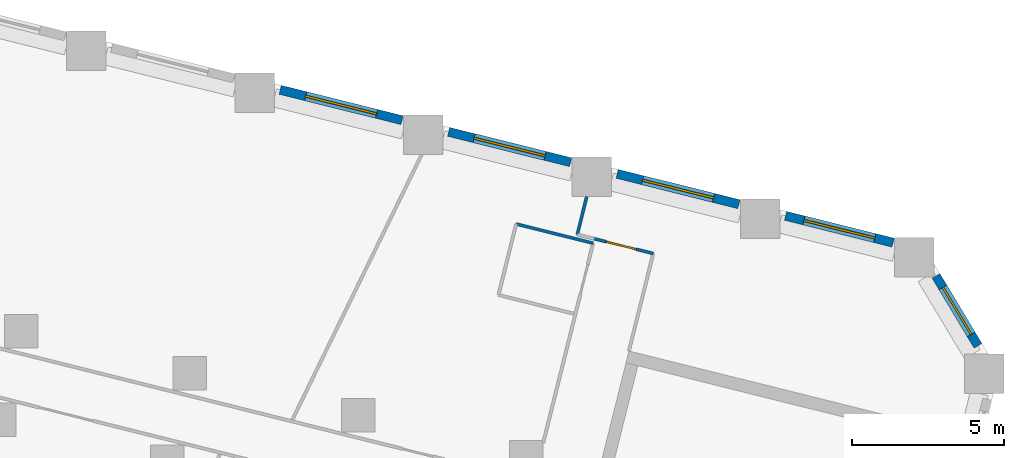
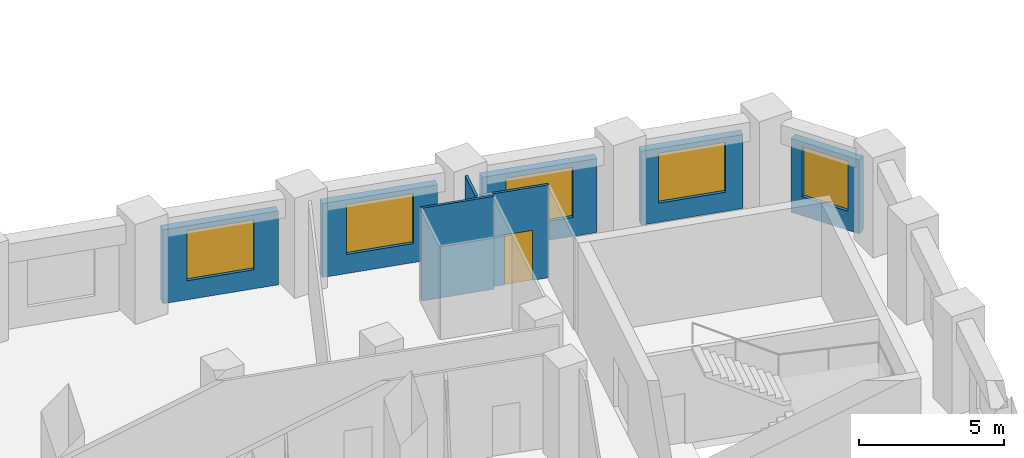
# One storey, part 7 of 11: 8 walls, 5 windows, 1 door, 6 openings.
"""IFC4 building model written with IfcOpenShell, lengths in metres."""

from ifc_helpers import new_model, si_unit, direction, frame, frame_2d, origin, place, context, subcontext, project, spatial, rectangle, extrude, material, layer, layer_set, type_object, element, fill, save


model = new_model("IFC4")

# Units and contexts
model_context = context("Model", 3, precision=1e-05, world=origin(), true_north=direction((0.0, 1.0)))
body_context = subcontext(model_context, "Body", "Model", "MODEL_VIEW")
ifc_project = project(units=[si_unit("LENGTHUNIT", "METRE"), si_unit("AREAUNIT", "SQUARE_METRE"), si_unit("VOLUMEUNIT", "CUBIC_METRE"), si_unit("PLANEANGLEUNIT", "RADIAN"), si_unit("MASSUNIT", "GRAM", prefix="KILO")], contexts=[model_context])

# Site, building, storey
site_placement = place(None, origin())
site = spatial("IfcSite", under=ifc_project, at=site_placement, CompositionType="ELEMENT")
building_placement = place(site_placement, origin())
building = spatial("IfcBuilding", under=site, at=building_placement, Name="Meshkara Civic Tower", CompositionType="ELEMENT")
storey_placement = place(building_placement, frame((0.0, 0.0, 105.60009765625)))
storey = spatial("IfcBuildingStorey", under=building, at=storey_placement, Name="L23", CompositionType="ELEMENT", Elevation=105.60009765625)

# Wall, opening, door
ifc_material_1 = material(Name="Corridor wall 100")
ifc_layer_1 = layer(ifc_material_1, 0.10009765625)
ifc_layer_set_1 = layer_set([ifc_layer_1], Name="Corridor wall 100")
wall_type_1 = type_object("IfcWallType", Name="Corridor wall 100", PredefinedType="PARTITIONING", material=ifc_layer_set_1)
wall_1_placement = place(storey_placement, frame((74.087890625, 2.552001953125, 0.0), z_axis=(0.0, 0.0, 1.0), x_axis=(-0.970271653322, 0.242018426489, 0.0)))
wall_1 = element("IfcWall", 1, at=wall_1_placement, inside=storey, type_object=wall_type_1, Name="L23-W030", PredefinedType="PARTITIONING", context=body_context, shape_type="SweptSolid", body=[
    extrude(rectangle(XDim=1.999267578125, YDim=0.10009765625, at=frame_2d((0.99951171875, 0.0))), origin(), (0.0, 0.0, 1.0), 3.89990234375),
])
opening_1_placement = place(wall_1_placement, frame((0.580078125, 0.0, 0.0)))
opening_1 = element("IfcOpeningElement", 2, at=opening_1_placement, cuts=wall_1, Name="Opening L23-D013", PredefinedType="OPENING", context=body_context, shape_type="SweptSolid", body=[
    extrude(rectangle(XDim=1.0, YDim=2.10009765625, at=frame_2d((0.5, 1.050048828125))), frame((0.0, 0.06005859375, 0.0), z_axis=(0.0, -1.0, 0.0), x_axis=(1.0, 0.0, 0.0)), (0.0, 0.0, 1.0), 0.1201171875),
])
ifc_material_2 = material(Name="Door 1000 x 2100")
door_type = type_object("IfcDoorType", Name="Door 1000 x 2100", OperationType="SINGLE_SWING_LEFT", PredefinedType="DOOR", material=ifc_material_2)
door_placement = place(opening_1_placement, origin())
door = element("IfcDoor", 3, at=door_placement, inside=storey, type_object=door_type, Name="L23-D013", OperationType="SINGLE_SWING_LEFT", OverallHeight=2.10009765625, OverallWidth=1.0, PredefinedType="DOOR", context=body_context, shape_type="SweptSolid", body=[
    extrude(rectangle(XDim=1.0, YDim=2.10009765625, at=frame_2d((0.5, 1.050048828125))), frame((0.0, 0.02490234375, 0.0), z_axis=(0.0, -1.0, 0.0), x_axis=(1.0, 0.0, 0.0)), (0.0, 0.0, 1.0), 0.050048828125),
])
fill(opening_1, door)

# Wall, opening, window
ifc_material_3 = material(Name="Insulated infill panel with bronze anodised aluminium cladding", Category="aluminium")
ifc_layer_2 = layer(ifc_material_3, 0.300048828125)
ifc_layer_set_2 = layer_set([ifc_layer_2], Name="EXTERNAL INFILL WALL 300")
wall_type_2 = type_object("IfcWallType", Name="EXTERNAL INFILL WALL 300", PredefinedType="SOLIDWALL", material=ifc_layer_set_2)
wall_2_placement = place(storey_placement, frame((81.962890625, 2.906982421875, 0.0), z_axis=(0.0, 0.0, 1.0), x_axis=(-0.970248953144, 0.24210941519, 0.0)))
wall_2 = element("IfcWall", 4, at=wall_2_placement, inside=storey, type_object=wall_type_2, Name="External wall", PredefinedType="SOLIDWALL", context=body_context, shape_type="SweptSolid", body=[
    extrude(rectangle(XDim=3.63916015625, YDim=0.300048828125, at=frame_2d((1.819580078125, 0.0))), origin(), (0.0, 0.0, 1.0), 3.099853515625),
])
opening_2_placement = place(wall_2_placement, frame((0.6201171875, 0.0, 0.800048828125)))
opening_2 = element("IfcOpeningElement", 5, at=opening_2_placement, cuts=wall_2, Name="Opening W7", PredefinedType="OPENING", context=body_context, shape_type="SweptSolid", body=[
    extrude(rectangle(XDim=2.39990234375, YDim=2.10009765625, at=frame_2d((1.199951171875, 1.050048828125))), frame((0.0, 0.159912109375, 0.0), z_axis=(0.0, -1.0, 0.0), x_axis=(1.0, 0.0, 0.0)), (0.0, 0.0, 1.0), 0.320068359375),
])
ifc_material_4 = material(Name="Tinted double glazing", Category="glass")
window_type_1 = type_object("IfcWindowType", Name="WINDOW 2400x2100", PartitioningType="DOUBLE_PANEL_VERTICAL", PredefinedType="WINDOW", material=ifc_material_4)
window_1_placement = place(opening_2_placement, origin())
window_1 = element("IfcWindow", 6, at=window_1_placement, inside=storey, type_object=window_type_1, Name="Window", OverallHeight=2.10009765625, OverallWidth=2.39990234375, PartitioningType="DOUBLE_PANEL_VERTICAL", PredefinedType="WINDOW", context=body_context, shape_type="SweptSolid", body=[
    extrude(rectangle(XDim=2.39990234375, YDim=2.10009765625, at=frame_2d((1.199951171875, 1.050048828125))), frame((0.0, 0.030029296875, 0.0), z_axis=(0.0, -1.0, 0.0), x_axis=(1.0, 0.0, 0.0)), (0.0, 0.0, 1.0), 0.06005859375),
])
fill(opening_2, window_1)

wall_3_placement = place(storey_placement, frame((76.903076171875, 4.1689453125, 0.0), z_axis=(0.0, 0.0, 1.0), x_axis=(-0.970267747908, 0.242034083076, 0.0)))
wall_3 = element("IfcWall", 7, at=wall_3_placement, inside=storey, type_object=wall_type_2, Name="External wall", PredefinedType="SOLIDWALL", context=body_context, shape_type="SweptSolid", body=[
    extrude(rectangle(XDim=4.12353515625, YDim=0.300048828125, at=frame_2d((2.061767578125, 0.0))), origin(), (0.0, 0.0, 1.0), 3.099853515625),
])
opening_3_placement = place(wall_3_placement, frame((0.862060546875, 0.0, 0.800048828125)))
opening_3 = element("IfcOpeningElement", 8, at=opening_3_placement, cuts=wall_3, Name="Opening W7", PredefinedType="OPENING", context=body_context, shape_type="SweptSolid", body=[
    extrude(rectangle(XDim=2.39990234375, YDim=2.10009765625, at=frame_2d((1.199951171875, 1.050048828125))), frame((0.0, 0.159912109375, 0.0), z_axis=(0.0, -1.0, 0.0), x_axis=(1.0, 0.0, 0.0)), (0.0, 0.0, 1.0), 0.320068359375),
])
window_2_placement = place(opening_3_placement, origin())
window_2 = element("IfcWindow", 9, at=window_2_placement, inside=storey, type_object=window_type_1, Name="Window", OverallHeight=2.10009765625, OverallWidth=2.39990234375, PartitioningType="DOUBLE_PANEL_VERTICAL", PredefinedType="WINDOW", context=body_context, shape_type="SweptSolid", body=[
    extrude(rectangle(XDim=2.39990234375, YDim=2.10009765625, at=frame_2d((1.199951171875, 1.050048828125))), frame((0.0, 0.030029296875, 0.0), z_axis=(0.0, -1.0, 0.0), x_axis=(1.0, 0.0, 0.0)), (0.0, 0.0, 1.0), 0.06005859375),
])
fill(opening_3, window_2)

wall_4_placement = place(storey_placement, frame((71.373046875, 5.548095703125, 0.0), z_axis=(0.0, 0.0, 1.0), x_axis=(-0.97029551261, 0.241922752565, 0.0)))
wall_4 = element("IfcWall", 10, at=wall_4_placement, inside=storey, type_object=wall_type_2, Name="External wall", PredefinedType="SOLIDWALL", context=body_context, shape_type="SweptSolid", body=[
    extrude(rectangle(XDim=4.12451171875, YDim=0.300048828125, at=frame_2d((2.062255859375, 0.0))), origin(), (0.0, 0.0, 1.0), 3.099853515625),
])
opening_4_placement = place(wall_4_placement, frame((0.862060546875, 0.0, 0.800048828125)))
opening_4 = element("IfcOpeningElement", 11, at=opening_4_placement, cuts=wall_4, Name="Opening W7", PredefinedType="OPENING", context=body_context, shape_type="SweptSolid", body=[
    extrude(rectangle(XDim=2.39990234375, YDim=2.10009765625, at=frame_2d((1.199951171875, 1.050048828125))), frame((0.0, 0.159912109375, 0.0), z_axis=(0.0, -1.0, 0.0), x_axis=(1.0, 0.0, 0.0)), (0.0, 0.0, 1.0), 0.320068359375),
])
window_3_placement = place(opening_4_placement, origin())
window_3 = element("IfcWindow", 12, at=window_3_placement, inside=storey, type_object=window_type_1, Name="Window", OverallHeight=2.10009765625, OverallWidth=2.39990234375, PartitioningType="DOUBLE_PANEL_VERTICAL", PredefinedType="WINDOW", context=body_context, shape_type="SweptSolid", body=[
    extrude(rectangle(XDim=2.39990234375, YDim=2.10009765625, at=frame_2d((1.199951171875, 1.050048828125))), frame((0.0, 0.030029296875, 0.0), z_axis=(0.0, -1.0, 0.0), x_axis=(1.0, 0.0, 0.0)), (0.0, 0.0, 1.0), 0.06005859375),
])
fill(opening_4, window_3)

wall_5_placement = place(storey_placement, frame((65.842041015625, 6.927001953125, 0.0), z_axis=(0.0, 0.0, 1.0), x_axis=(-0.970281616392, 0.241978480223, 0.0)))
wall_5 = element("IfcWall", 13, at=wall_5_placement, inside=storey, type_object=wall_type_2, Name="External wall", PredefinedType="SOLIDWALL", context=body_context, shape_type="SweptSolid", body=[
    extrude(rectangle(XDim=4.12451171875, YDim=0.300048828125, at=frame_2d((2.062255859375, 0.0))), origin(), (0.0, 0.0, 1.0), 3.099853515625),
])
opening_5_placement = place(wall_5_placement, frame((0.862060546875, 0.0, 0.800048828125)))
opening_5 = element("IfcOpeningElement", 14, at=opening_5_placement, cuts=wall_5, Name="Opening W7", PredefinedType="OPENING", context=body_context, shape_type="SweptSolid", body=[
    extrude(rectangle(XDim=2.39990234375, YDim=2.10009765625, at=frame_2d((1.199951171875, 1.050048828125))), frame((0.0, 0.159912109375, 0.0), z_axis=(0.0, -1.0, 0.0), x_axis=(1.0, 0.0, 0.0)), (0.0, 0.0, 1.0), 0.320068359375),
])
window_4_placement = place(opening_5_placement, origin())
window_4 = element("IfcWindow", 15, at=window_4_placement, inside=storey, type_object=window_type_1, Name="Window", OverallHeight=2.10009765625, OverallWidth=2.39990234375, PartitioningType="DOUBLE_PANEL_VERTICAL", PredefinedType="WINDOW", context=body_context, shape_type="SweptSolid", body=[
    extrude(rectangle(XDim=2.39990234375, YDim=2.10009765625, at=frame_2d((1.199951171875, 1.050048828125))), frame((0.0, 0.030029296875, 0.0), z_axis=(0.0, -1.0, 0.0), x_axis=(1.0, 0.0, 0.0)), (0.0, 0.0, 1.0), 0.06005859375),
])
fill(opening_5, window_4)

wall_6_placement = place(storey_placement, frame((84.751953125, -0.48095703125, 0.0), z_axis=(0.0, 0.0, 1.0), x_axis=(-0.515138971391, 0.857106667898, 0.0)))
wall_6 = element("IfcWall", 16, at=wall_6_placement, inside=storey, type_object=wall_type_2, Name="External wall", PredefinedType="SOLIDWALL", context=body_context, shape_type="SweptSolid", body=[
    extrude(rectangle(XDim=2.6787109375, YDim=0.300048828125, at=frame_2d((1.33935546875, 0.0))), origin(), (0.0, 0.0, 1.0), 3.099853515625),
])
opening_6_placement = place(wall_6_placement, frame((0.43896484375, 0.0, 0.800048828125)))
opening_6 = element("IfcOpeningElement", 17, at=opening_6_placement, cuts=wall_6, Name="Opening W9", PredefinedType="OPENING", context=body_context, shape_type="SweptSolid", body=[
    extrude(rectangle(XDim=1.800048828125, YDim=2.10009765625, at=frame_2d((0.89990234375, 1.050048828125))), frame((0.0, 0.159912109375, 0.0), z_axis=(0.0, -1.0, 0.0), x_axis=(1.0, 0.0, 0.0)), (0.0, 0.0, 1.0), 0.320068359375),
])
ifc_material_5 = material(Name="Tinted double glazing", Category="glass")
window_type_2 = type_object("IfcWindowType", Name="WINDOW 1800x2100", PartitioningType="DOUBLE_PANEL_VERTICAL", PredefinedType="WINDOW", material=ifc_material_5)
window_5_placement = place(opening_6_placement, origin())
window_5 = element("IfcWindow", 18, at=window_5_placement, inside=storey, type_object=window_type_2, Name="Window", OverallHeight=2.10009765625, OverallWidth=1.800048828125, PartitioningType="DOUBLE_PANEL_VERTICAL", PredefinedType="WINDOW", context=body_context, shape_type="SweptSolid", body=[
    extrude(rectangle(XDim=1.800048828125, YDim=2.10009765625, at=frame_2d((0.89990234375, 1.050048828125))), frame((0.0, 0.030029296875, 0.0), z_axis=(0.0, -1.0, 0.0), x_axis=(1.0, 0.0, 0.0)), (0.0, 0.0, 1.0), 0.06005859375),
])
fill(opening_6, window_5)

# Walls
ifc_material_6 = material(Name="Partition 100")
ifc_layer_3 = layer(ifc_material_6, 0.10009765625)
ifc_layer_set_3 = layer_set([ifc_layer_3], Name="Partition 100")
wall_type_3 = type_object("IfcWallType", Name="Partition 100", PredefinedType="PARTITIONING", material=ifc_layer_set_3)
wall_7_placement = place(storey_placement, frame((69.589111328125, 3.52001953125, 0.0), z_axis=(0.0, 0.0, 1.0), x_axis=(0.970197700903, -0.242314715118, 0.0)))
element("IfcWall", 19, at=wall_7_placement, inside=storey, type_object=wall_type_3, Name="L23-W054", PredefinedType="PARTITIONING", context=body_context, shape_type="SweptSolid", body=[
    extrude(rectangle(XDim=2.600341796875, YDim=0.10009765625, at=frame_2d((1.30029296875, 0.0))), origin(), (0.0, 0.0, 1.0), 3.89990234375),
])
wall_8_placement = place(storey_placement, frame((71.593017578125, 3.174072265625, 0.0), z_axis=(0.0, 0.0, 1.0), x_axis=(0.242221476086, 0.970220983345, 0.0)))
element("IfcWall", 20, at=wall_8_placement, inside=storey, type_object=wall_type_3, Name="L23-W056", PredefinedType="PARTITIONING", context=body_context, shape_type="SweptSolid", body=[
    extrude(rectangle(XDim=1.280029296875, YDim=0.10009765625, at=frame_2d((0.64013671875, 0.0))), origin(), (0.0, 0.0, 1.0), 3.89990234375),
])

save(model, "model.ifc")
